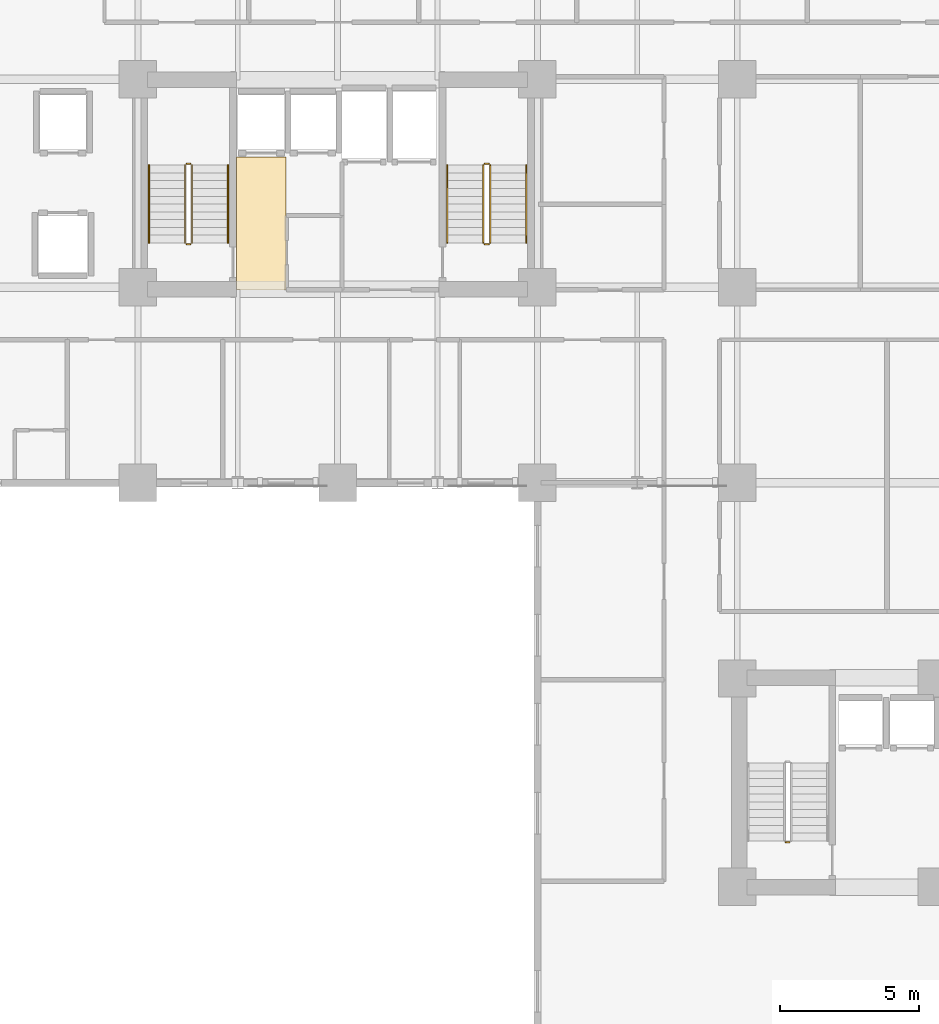
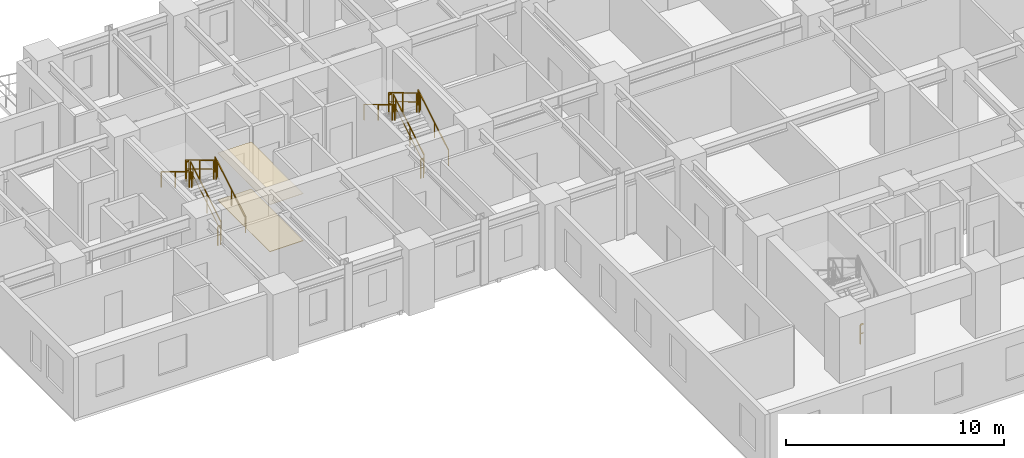
# One storey, part 9 of 11: 13 railings, 2 coverings.
"""IFC4 building model written with IfcOpenShell, lengths in metres."""

from ifc_helpers import new_model, si_unit, direction, frame, origin, origin_2d, place, context, subcontext, project, spatial, rectangle, extrude, source, transform, mapped, material, layer, layer_set, type_object, element, save


model = new_model("IFC4")

# Units and contexts
model_context = context("Model", 3, precision=1e-05, world=origin(), true_north=direction((0.0, 1.0)))
body_context = subcontext(model_context, "Body", "Model", "MODEL_VIEW")
ifc_project = project(units=[si_unit("LENGTHUNIT", "METRE"), si_unit("AREAUNIT", "SQUARE_METRE"), si_unit("VOLUMEUNIT", "CUBIC_METRE"), si_unit("PLANEANGLEUNIT", "RADIAN"), si_unit("MASSUNIT", "GRAM", prefix="KILO")], contexts=[model_context])

# Site, building, storey
site_placement = place(None, origin())
site = spatial("IfcSite", under=ifc_project, at=site_placement, CompositionType="ELEMENT")
building_placement = place(site_placement, origin())
building = spatial("IfcBuilding", under=site, at=building_placement, Name="Kaliganga Portal Commons", CompositionType="ELEMENT")
storey_placement = place(building_placement, frame((0.0, 0.0, 66.0)))
storey = spatial("IfcBuildingStorey", under=building, at=storey_placement, Name="L16", CompositionType="ELEMENT", Elevation=66.0)

# Railings
ifc_material_1 = material(Name="Galvanized Painted Steel Balustrade", Category="steel")
railing_type_1 = type_object("IfcRailingType", Name="RLG-STAIR-GRD", PredefinedType="GUARDRAIL", material=ifc_material_1)
railing_1_placement = place(storey_placement, frame((16.35009765625, 30.25, 0.168212890625)))
element("IfcRailing", 1, at=railing_1_placement, inside=storey, type_object=railing_type_1, Name="L16 ST-A1 stair guard 1", PredefinedType="GUARDRAIL", context=body_context, shape_type="SweptSolid", body=[
    extrude(rectangle(XDim=0.048095703125, YDim=0.048095703125, at=origin_2d()), frame((0.0, 0.0, 1.072021484375), z_axis=(0.0, 0.857242210791, 0.514913383045), x_axis=(-1.0, 0.0, 0.0)), (0.0, 0.0, 1.0), 3.266357421875),
    extrude(rectangle(XDim=0.028076171875, YDim=0.028076171875, at=origin_2d()), frame((0.0, 0.0, 0.572021484375), z_axis=(0.0, 0.857242210791, 0.514913383045), x_axis=(-1.0, 0.0, 0.0)), (0.0, 0.0, 1.0), 3.266357421875),
    extrude(rectangle(XDim=0.0419921875, YDim=0.0419921875, at=origin_2d()), origin(), (0.0, 0.0, 1.0), 1.052001953125),
    extrude(rectangle(XDim=0.0419921875, YDim=0.0419921875, at=origin_2d()), frame((0.0, 1.285888671875, 0.7724609375)), (0.0, 0.0, 1.0), 1.052001953125),
    extrude(rectangle(XDim=0.0419921875, YDim=0.0419921875, at=origin_2d()), frame((0.0, 2.57177734375, 1.544677734375)), (0.0, 0.0, 1.0), 1.052001953125),
    extrude(rectangle(XDim=0.0419921875, YDim=0.0419921875, at=origin_2d()), frame((0.0, 2.800048828125, 1.681884765625)), (0.0, 0.0, 1.0), 1.052001953125),
])
railing_2_placement = place(storey_placement, frame((16.300048828125, 33.10009765625, 1.85009765625)))
element("IfcRailing", 2, at=railing_2_placement, inside=storey, type_object=railing_type_1, Name="L16 ST-A1 stair guard 2", PredefinedType="GUARDRAIL", context=body_context, shape_type="SweptSolid", body=[
    extrude(rectangle(XDim=0.048095703125, YDim=0.048095703125, at=origin_2d()), frame((0.0, 0.0, 1.076171875), z_axis=(-1.0, 0.0, 0.0), x_axis=(0.0, -1.0, 0.0)), (0.0, 0.0, 1.0), 0.150146484375),
    extrude(rectangle(XDim=0.028076171875, YDim=0.028076171875, at=origin_2d()), frame((0.0, 0.0, 0.572021484375), z_axis=(-1.0, 0.0, 0.0), x_axis=(0.0, -1.0, 0.0)), (0.0, 0.0, 1.0), 0.150146484375),
    extrude(rectangle(XDim=0.0419921875, YDim=0.0419921875, at=origin_2d()), origin(), (0.0, 0.0, 1.0), 1.052001953125),
    extrude(rectangle(XDim=0.0419921875, YDim=0.0419921875, at=origin_2d()), frame((-0.150146484375, 0.0, 0.0)), (0.0, 0.0, 1.0), 1.052001953125),
])
railing_3_placement = place(storey_placement, frame((16.10009765625, 33.050048828125, 2.01806640625)))
element("IfcRailing", 3, at=railing_3_placement, inside=storey, type_object=railing_type_1, Name="L16 ST-A1 stair guard 3", PredefinedType="GUARDRAIL", context=body_context, shape_type="SweptSolid", body=[
    extrude(rectangle(XDim=0.048095703125, YDim=0.048095703125, at=origin_2d()), frame((0.0, 0.0, 1.072021484375), z_axis=(0.0, -0.857242210791, 0.514913383045), x_axis=(1.0, 0.0, 0.0)), (0.0, 0.0, 1.0), 3.266357421875),
    extrude(rectangle(XDim=0.028076171875, YDim=0.028076171875, at=origin_2d()), frame((0.0, 0.0, 0.572021484375), z_axis=(0.0, -0.857242210791, 0.514913383045), x_axis=(1.0, 0.0, 0.0)), (0.0, 0.0, 1.0), 3.266357421875),
    extrude(rectangle(XDim=0.0419921875, YDim=0.0419921875, at=origin_2d()), origin(), (0.0, 0.0, 1.0), 1.052001953125),
    extrude(rectangle(XDim=0.0419921875, YDim=0.0419921875, at=origin_2d()), frame((0.0, -1.285888671875, 0.7724609375)), (0.0, 0.0, 1.0), 1.052001953125),
    extrude(rectangle(XDim=0.0419921875, YDim=0.0419921875, at=origin_2d()), frame((0.0, -2.57177734375, 1.544677734375)), (0.0, 0.0, 1.0), 1.052001953125),
    extrude(rectangle(XDim=0.0419921875, YDim=0.0419921875, at=origin_2d()), frame((0.0, -2.800048828125, 1.681884765625)), (0.0, 0.0, 1.0), 1.052001953125),
])
railing_4_placement = place(storey_placement, frame((16.300048828125, 30.199951171875, 0.0)))
element("IfcRailing", 4, at=railing_4_placement, inside=storey, type_object=railing_type_1, Name="L16 ST-A1 stair guard 4", PredefinedType="GUARDRAIL", context=body_context, shape_type="SweptSolid", body=[
    extrude(rectangle(XDim=0.048095703125, YDim=0.048095703125, at=origin_2d()), frame((0.0, 0.0, 1.076171875), z_axis=(-1.0, 0.0, 0.0), x_axis=(0.0, -1.0, 0.0)), (0.0, 0.0, 1.0), 0.150146484375),
    extrude(rectangle(XDim=0.028076171875, YDim=0.028076171875, at=origin_2d()), frame((0.0, 0.0, 0.572021484375), z_axis=(-1.0, 0.0, 0.0), x_axis=(0.0, -1.0, 0.0)), (0.0, 0.0, 1.0), 0.150146484375),
    extrude(rectangle(XDim=0.0419921875, YDim=0.0419921875, at=origin_2d()), origin(), (0.0, 0.0, 1.0), 1.052001953125),
    extrude(rectangle(XDim=0.0419921875, YDim=0.0419921875, at=origin_2d()), frame((-0.150146484375, 0.0, 0.0)), (0.0, 0.0, 1.0), 1.052001953125),
])
railing_5_placement = place(storey_placement, frame((27.10009765625, 30.25, 0.168212890625)))
element("IfcRailing", 5, at=railing_5_placement, inside=storey, type_object=railing_type_1, Name="L16 ST-A2 stair guard 1", PredefinedType="GUARDRAIL", context=body_context, shape_type="SweptSolid", body=[
    extrude(rectangle(XDim=0.048095703125, YDim=0.048095703125, at=origin_2d()), frame((0.0, 0.0, 1.072021484375), z_axis=(0.0, 0.857242210791, 0.514913383045), x_axis=(-1.0, 0.0, 0.0)), (0.0, 0.0, 1.0), 3.266357421875),
    extrude(rectangle(XDim=0.028076171875, YDim=0.028076171875, at=origin_2d()), frame((0.0, 0.0, 0.572021484375), z_axis=(0.0, 0.857242210791, 0.514913383045), x_axis=(-1.0, 0.0, 0.0)), (0.0, 0.0, 1.0), 3.266357421875),
    extrude(rectangle(XDim=0.0419921875, YDim=0.0419921875, at=origin_2d()), origin(), (0.0, 0.0, 1.0), 1.052001953125),
    extrude(rectangle(XDim=0.0419921875, YDim=0.0419921875, at=origin_2d()), frame((0.0, 1.285888671875, 0.7724609375)), (0.0, 0.0, 1.0), 1.052001953125),
    extrude(rectangle(XDim=0.0419921875, YDim=0.0419921875, at=origin_2d()), frame((0.0, 2.57177734375, 1.544677734375)), (0.0, 0.0, 1.0), 1.052001953125),
    extrude(rectangle(XDim=0.0419921875, YDim=0.0419921875, at=origin_2d()), frame((0.0, 2.800048828125, 1.681884765625)), (0.0, 0.0, 1.0), 1.052001953125),
])
railing_6_placement = place(storey_placement, frame((27.050048828125, 33.10009765625, 1.85009765625)))
element("IfcRailing", 6, at=railing_6_placement, inside=storey, type_object=railing_type_1, Name="L16 ST-A2 stair guard 2", PredefinedType="GUARDRAIL", context=body_context, shape_type="SweptSolid", body=[
    extrude(rectangle(XDim=0.048095703125, YDim=0.048095703125, at=origin_2d()), frame((0.0, 0.0, 1.076171875), z_axis=(-1.0, 0.0, 0.0), x_axis=(0.0, -1.0, 0.0)), (0.0, 0.0, 1.0), 0.150146484375),
    extrude(rectangle(XDim=0.028076171875, YDim=0.028076171875, at=origin_2d()), frame((0.0, 0.0, 0.572021484375), z_axis=(-1.0, 0.0, 0.0), x_axis=(0.0, -1.0, 0.0)), (0.0, 0.0, 1.0), 0.150146484375),
    extrude(rectangle(XDim=0.0419921875, YDim=0.0419921875, at=origin_2d()), origin(), (0.0, 0.0, 1.0), 1.052001953125),
    extrude(rectangle(XDim=0.0419921875, YDim=0.0419921875, at=origin_2d()), frame((-0.150146484375, 0.0, 0.0)), (0.0, 0.0, 1.0), 1.052001953125),
])
railing_7_placement = place(storey_placement, frame((26.85009765625, 33.050048828125, 2.01806640625)))
element("IfcRailing", 7, at=railing_7_placement, inside=storey, type_object=railing_type_1, Name="L16 ST-A2 stair guard 3", PredefinedType="GUARDRAIL", context=body_context, shape_type="SweptSolid", body=[
    extrude(rectangle(XDim=0.048095703125, YDim=0.048095703125, at=origin_2d()), frame((0.0, 0.0, 1.072021484375), z_axis=(0.0, -0.857242210791, 0.514913383045), x_axis=(1.0, 0.0, 0.0)), (0.0, 0.0, 1.0), 3.266357421875),
    extrude(rectangle(XDim=0.028076171875, YDim=0.028076171875, at=origin_2d()), frame((0.0, 0.0, 0.572021484375), z_axis=(0.0, -0.857242210791, 0.514913383045), x_axis=(1.0, 0.0, 0.0)), (0.0, 0.0, 1.0), 3.266357421875),
    extrude(rectangle(XDim=0.0419921875, YDim=0.0419921875, at=origin_2d()), origin(), (0.0, 0.0, 1.0), 1.052001953125),
    extrude(rectangle(XDim=0.0419921875, YDim=0.0419921875, at=origin_2d()), frame((0.0, -1.285888671875, 0.7724609375)), (0.0, 0.0, 1.0), 1.052001953125),
    extrude(rectangle(XDim=0.0419921875, YDim=0.0419921875, at=origin_2d()), frame((0.0, -2.57177734375, 1.544677734375)), (0.0, 0.0, 1.0), 1.052001953125),
    extrude(rectangle(XDim=0.0419921875, YDim=0.0419921875, at=origin_2d()), frame((0.0, -2.800048828125, 1.681884765625)), (0.0, 0.0, 1.0), 1.052001953125),
])
railing_8_placement = place(storey_placement, frame((27.050048828125, 30.199951171875, 0.0)))
element("IfcRailing", 8, at=railing_8_placement, inside=storey, type_object=railing_type_1, Name="L16 ST-A2 stair guard 4", PredefinedType="GUARDRAIL", context=body_context, shape_type="SweptSolid", body=[
    extrude(rectangle(XDim=0.048095703125, YDim=0.048095703125, at=origin_2d()), frame((0.0, 0.0, 1.076171875), z_axis=(-1.0, 0.0, 0.0), x_axis=(0.0, -1.0, 0.0)), (0.0, 0.0, 1.0), 0.150146484375),
    extrude(rectangle(XDim=0.028076171875, YDim=0.028076171875, at=origin_2d()), frame((0.0, 0.0, 0.572021484375), z_axis=(-1.0, 0.0, 0.0), x_axis=(0.0, -1.0, 0.0)), (0.0, 0.0, 1.0), 0.150146484375),
    extrude(rectangle(XDim=0.0419921875, YDim=0.0419921875, at=origin_2d()), origin(), (0.0, 0.0, 1.0), 1.052001953125),
    extrude(rectangle(XDim=0.0419921875, YDim=0.0419921875, at=origin_2d()), frame((-0.150146484375, 0.0, 0.0)), (0.0, 0.0, 1.0), 1.052001953125),
])
railing_9_placement = place(storey_placement, frame((37.89990234375, 8.64990234375, 0.0)))
element("IfcRailing", 9, at=railing_9_placement, inside=storey, type_object=railing_type_1, Name="L16 ST-B1 stair guard 4", PredefinedType="GUARDRAIL", context=body_context, shape_type="SweptSolid", body=[
    extrude(rectangle(XDim=0.048095703125, YDim=0.048095703125, at=origin_2d()), frame((0.0, 0.0, 1.076171875), z_axis=(-1.0, 0.0, 0.0), x_axis=(0.0, -1.0, 0.0)), (0.0, 0.0, 1.0), 0.14990234375),
    extrude(rectangle(XDim=0.028076171875, YDim=0.028076171875, at=origin_2d()), frame((0.0, 0.0, 0.572021484375), z_axis=(-1.0, 0.0, 0.0), x_axis=(0.0, -1.0, 0.0)), (0.0, 0.0, 1.0), 0.14990234375),
    extrude(rectangle(XDim=0.0419921875, YDim=0.0419921875, at=origin_2d()), frame((-0.14990234375, 0.0, 0.0)), (0.0, 0.0, 1.0), 1.052001953125),
])
ifc_material_2 = material(Name="Brushed Stainless Steel 316", Category="steel")
railing_type_2 = type_object("IfcRailingType", Name="RLG-STAIR-HR", PredefinedType="HANDRAIL", material=ifc_material_2)
railing_10_placement = place(storey_placement, frame((17.64990234375, 30.25, 0.168212890625)))
element("IfcRailing", 10, at=railing_10_placement, inside=storey, type_object=railing_type_2, Name="L16 ST-A1 stair handrail 1", PredefinedType="HANDRAIL", context=body_context, shape_type="SweptSolid", body=[
    extrude(rectangle(XDim=0.048095703125, YDim=0.048095703125, at=origin_2d()), frame((0.0, 0.0, 0.871826171875), z_axis=(0.0, 0.857242210791, 0.514913383045), x_axis=(-1.0, 0.0, 0.0)), (0.0, 0.0, 1.0), 3.266357421875),
    extrude(rectangle(XDim=0.0419921875, YDim=0.0419921875, at=origin_2d()), origin(), (0.0, 0.0, 1.0), 0.851806640625),
    extrude(rectangle(XDim=0.0419921875, YDim=0.0419921875, at=origin_2d()), frame((0.0, 1.285888671875, 0.7724609375)), (0.0, 0.0, 1.0), 0.851806640625),
    extrude(rectangle(XDim=0.0419921875, YDim=0.0419921875, at=origin_2d()), frame((0.0, 2.57177734375, 1.544677734375)), (0.0, 0.0, 1.0), 0.851806640625),
    extrude(rectangle(XDim=0.0419921875, YDim=0.0419921875, at=origin_2d()), frame((0.0, 2.800048828125, 1.681884765625)), (0.0, 0.0, 1.0), 0.851806640625),
])
railing_11_placement = place(storey_placement, frame((14.800048828125, 33.050048828125, 2.01806640625)))
element("IfcRailing", 11, at=railing_11_placement, inside=storey, type_object=railing_type_2, Name="L16 ST-A1 stair handrail 2", PredefinedType="HANDRAIL", context=body_context, shape_type="SweptSolid", body=[
    extrude(rectangle(XDim=0.048095703125, YDim=0.048095703125, at=origin_2d()), frame((0.0, 0.0, 0.871826171875), z_axis=(0.0, -0.857242210791, 0.514913383045), x_axis=(1.0, 0.0, 0.0)), (0.0, 0.0, 1.0), 3.266357421875),
    extrude(rectangle(XDim=0.0419921875, YDim=0.0419921875, at=origin_2d()), origin(), (0.0, 0.0, 1.0), 0.851806640625),
    extrude(rectangle(XDim=0.0419921875, YDim=0.0419921875, at=origin_2d()), frame((0.0, -1.285888671875, 0.7724609375)), (0.0, 0.0, 1.0), 0.851806640625),
    extrude(rectangle(XDim=0.0419921875, YDim=0.0419921875, at=origin_2d()), frame((0.0, -2.57177734375, 1.544677734375)), (0.0, 0.0, 1.0), 0.851806640625),
    extrude(rectangle(XDim=0.0419921875, YDim=0.0419921875, at=origin_2d()), frame((0.0, -2.800048828125, 1.681884765625)), (0.0, 0.0, 1.0), 0.851806640625),
])
railing_12_placement = place(storey_placement, frame((28.39990234375, 30.25, 0.168212890625)))
element("IfcRailing", 12, at=railing_12_placement, inside=storey, type_object=railing_type_2, Name="L16 ST-A2 stair handrail 1", PredefinedType="HANDRAIL", context=body_context, shape_type="SweptSolid", body=[
    extrude(rectangle(XDim=0.048095703125, YDim=0.048095703125, at=origin_2d()), frame((0.0, 0.0, 0.871826171875), z_axis=(0.0, 0.857242210791, 0.514913383045), x_axis=(-1.0, 0.0, 0.0)), (0.0, 0.0, 1.0), 3.266357421875),
    extrude(rectangle(XDim=0.0419921875, YDim=0.0419921875, at=origin_2d()), origin(), (0.0, 0.0, 1.0), 0.851806640625),
    extrude(rectangle(XDim=0.0419921875, YDim=0.0419921875, at=origin_2d()), frame((0.0, 1.285888671875, 0.7724609375)), (0.0, 0.0, 1.0), 0.851806640625),
    extrude(rectangle(XDim=0.0419921875, YDim=0.0419921875, at=origin_2d()), frame((0.0, 2.57177734375, 1.544677734375)), (0.0, 0.0, 1.0), 0.851806640625),
    extrude(rectangle(XDim=0.0419921875, YDim=0.0419921875, at=origin_2d()), frame((0.0, 2.800048828125, 1.681884765625)), (0.0, 0.0, 1.0), 0.851806640625),
])
railing_13_placement = place(storey_placement, frame((25.550048828125, 33.050048828125, 2.01806640625)))
element("IfcRailing", 13, at=railing_13_placement, inside=storey, type_object=railing_type_2, Name="L16 ST-A2 stair handrail 2", PredefinedType="HANDRAIL", context=body_context, shape_type="SweptSolid", body=[
    extrude(rectangle(XDim=0.048095703125, YDim=0.048095703125, at=origin_2d()), frame((0.0, 0.0, 0.871826171875), z_axis=(0.0, -0.857242210791, 0.514913383045), x_axis=(1.0, 0.0, 0.0)), (0.0, 0.0, 1.0), 3.266357421875),
    extrude(rectangle(XDim=0.0419921875, YDim=0.0419921875, at=origin_2d()), origin(), (0.0, 0.0, 1.0), 0.851806640625),
    extrude(rectangle(XDim=0.0419921875, YDim=0.0419921875, at=origin_2d()), frame((0.0, -1.285888671875, 0.7724609375)), (0.0, 0.0, 1.0), 0.851806640625),
    extrude(rectangle(XDim=0.0419921875, YDim=0.0419921875, at=origin_2d()), frame((0.0, -2.57177734375, 1.544677734375)), (0.0, 0.0, 1.0), 0.851806640625),
    extrude(rectangle(XDim=0.0419921875, YDim=0.0419921875, at=origin_2d()), frame((0.0, -2.800048828125, 1.681884765625)), (0.0, 0.0, 1.0), 0.851806640625),
])

# Coverings
ifc_material_3 = material(Name="Acoustic Micro-Perforated Gypsum Ceiling", Category="gypsum")
ifc_layer_1 = layer(ifc_material_3, 0.02001953125)
ifc_layer_set_1 = layer_set([ifc_layer_1], Name="Acoustic Micro-Perforated Gypsum Ceiling")
covering_type_1 = type_object("IfcCoveringType", Name="COV-CEIL-GYP", PredefinedType="CEILING", material=ifc_layer_set_1)
shared_shape_1 = source(origin(), body_context, "Body", "SweptSolid", [
    extrude(rectangle(XDim=1.780029296875, YDim=4.780029296875, at=origin_2d()), origin(), (0.0, 0.0, 1.0), 0.02001953125),
])
covering_1_placement = place(storey_placement, frame((18.85009765625, 30.949951171875, 2.639892578125), z_axis=(0.0, 0.0, 1.0), x_axis=(1.0, 0.0, 0.0)))
element("IfcCovering", 14, at=covering_1_placement, inside=storey, type_object=covering_type_1, Name="Acoustic Ceiling L16 PLOB_A", PredefinedType="CEILING", context=body_context, shape_type="MappedRepresentation", body=[
    mapped(shared_shape_1, transform((0.0, 0.0, 0.0), x_axis=(1.0, 0.0, 0.0), y_axis=(0.0, 1.0, 0.0), z_axis=(0.0, 0.0, 1.0), scale=1.0)),
])
ifc_material_4 = material(Name="Polished Sylhet Stone Terrazzo Flooring", Category="masonry")
ifc_layer_2 = layer(ifc_material_4, 0.02490234375)
ifc_layer_set_2 = layer_set([ifc_layer_2], Name="Polished Sylhet Stone Terrazzo Flooring")
covering_type_2 = type_object("IfcCoveringType", Name="COV-FLR-TERRAZZO", PredefinedType="FLOORING", material=ifc_layer_set_2)
shared_shape_2 = source(origin(), body_context, "Body", "SweptSolid", [
    extrude(rectangle(XDim=1.780029296875, YDim=4.780029296875, at=origin_2d()), origin(), (0.0, 0.0, 1.0), 0.02490234375),
])
covering_2_placement = place(storey_placement, frame((18.85009765625, 30.949951171875, 0.00048828125), z_axis=(0.0, 0.0, 1.0), x_axis=(1.0, 0.0, 0.0)))
element("IfcCovering", 15, at=covering_2_placement, inside=storey, type_object=covering_type_2, Name="Terrazzo Flooring L16 PLOB_A", PredefinedType="FLOORING", context=body_context, shape_type="MappedRepresentation", body=[
    mapped(shared_shape_2, transform((0.0, 0.0, 0.0), x_axis=(1.0, 0.0, 0.0), y_axis=(0.0, 1.0, 0.0), z_axis=(0.0, 0.0, 1.0), scale=1.0)),
])

save(model, "model.ifc")
